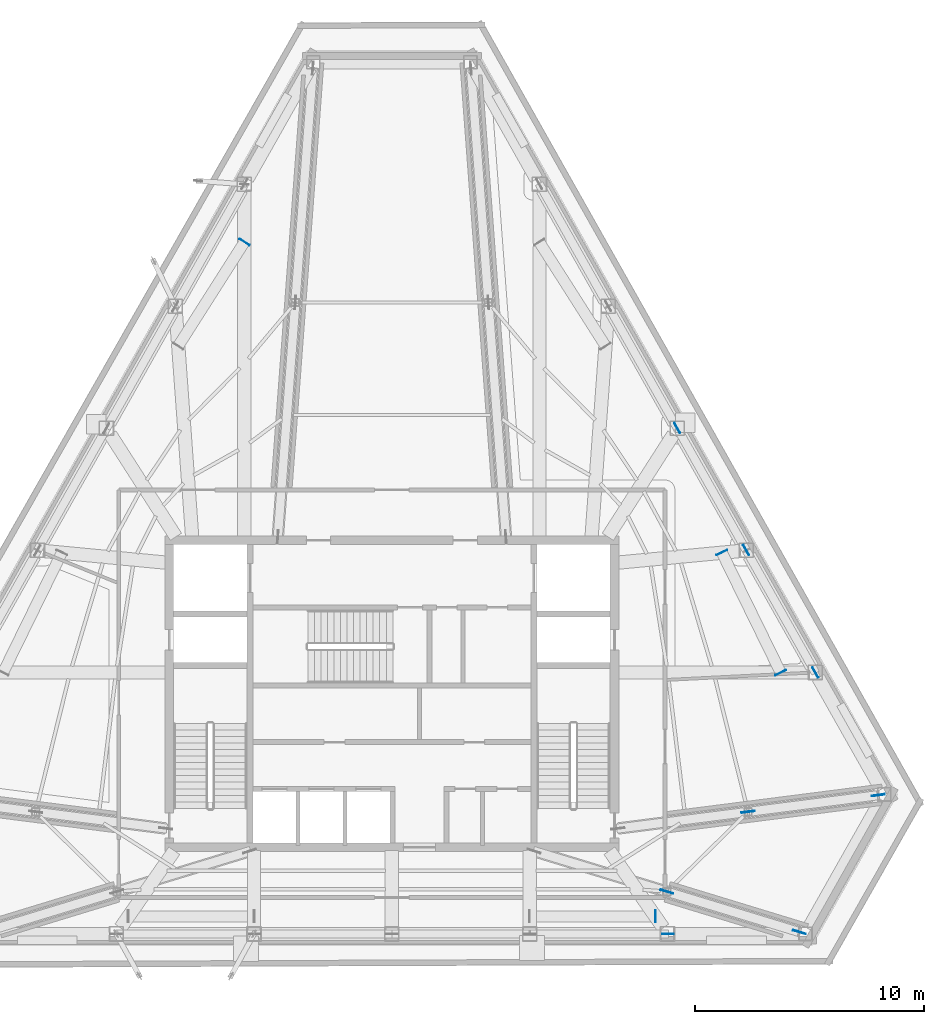
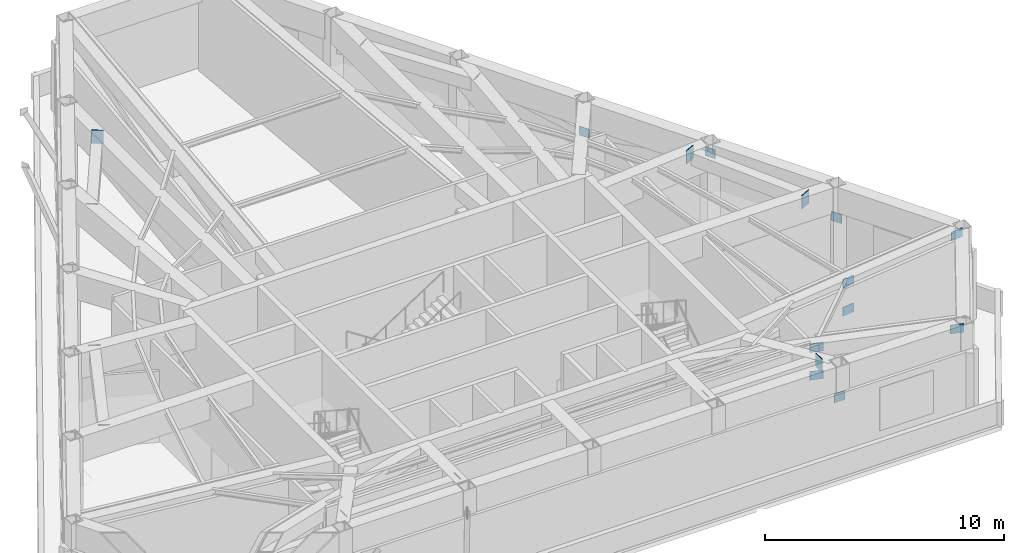
# One storey, part 7 of 13: 14 plates.
"""IFC4 building model written with IfcOpenShell, lengths in metres."""

from ifc_helpers import new_model, si_unit, direction, frame, origin, origin_2d, place, context, subcontext, project, spatial, rectangle, extrude, material, layer, layer_set, type_object, element, save


model = new_model("IFC4")

# Units and contexts
model_context = context("Model", 3, precision=1e-05, world=origin(), true_north=direction((0.0, 1.0)))
body_context = subcontext(model_context, "Body", "Model", "MODEL_VIEW")
ifc_project = project(units=[si_unit("LENGTHUNIT", "METRE"), si_unit("AREAUNIT", "SQUARE_METRE"), si_unit("VOLUMEUNIT", "CUBIC_METRE"), si_unit("PLANEANGLEUNIT", "RADIAN"), si_unit("MASSUNIT", "GRAM", prefix="KILO")], contexts=[model_context])

# Site, building, storey
site_placement = place(None, origin())
site = spatial("IfcSite", under=ifc_project, at=site_placement, CompositionType="ELEMENT")
building_placement = place(site_placement, origin())
building = spatial("IfcBuilding", under=site, at=building_placement, Name="Kavelnor Concourse Tower", CompositionType="ELEMENT")
storey_placement = place(building_placement, frame((0.0, 0.0, 234.300048828125)))
storey = spatial("IfcBuildingStorey", under=building, at=storey_placement, Name="L59", CompositionType="ELEMENT", Elevation=234.300048828125)

# Plates
ifc_material = material(Name="Steel Grade 350", Category="steel")
ifc_layer_1 = layer(ifc_material, 0.035888671875, Name="Steel Grade 350")
ifc_layer_set_1 = layer_set([ifc_layer_1], Name="Steel Grade 350")
plate_type_1 = type_object("IfcPlateType", Name="PL-GUSSET-OUTRIG", PredefinedType="USERDEFINED", material=ifc_layer_set_1)
for number, where, z_axis, x_axis, name in (
    (1, (49.990478515625, 7.46728515625, 2.9599609375), (0.0, 0.0, 1.0), (0.956457710334, -0.291870944669, 0.0), "L59 Outrigger Truss Node Gusset Plate GP2 F1B-MB"),
    (2, (49.990478515625, 7.46728515625, 4.3798828125), (0.0, 0.0, 1.0), (0.956457710334, -0.291870944669, 0.0), "L59 Outrigger Truss Node Gusset Plate GP2 F1B-MT"),
    (3, (55.773681640625, 5.703125, 4.3798828125), (0.0, 0.0, 1.0), (0.956457710334, -0.291870944669, 0.0), "L59 Outrigger Truss Node Gusset Plate GP2 F1B-B1"),
    (4, (53.536376953125, 10.94775390625, 2.9599609375), (0.0, 0.0, 1.0), (0.99191660444, 0.126891488428, 0.0), "L59 Outrigger Truss Node Gusset Plate GP2 F2A-MB"),
    (5, (53.536376953125, 10.94775390625, 4.3798828125), (0.0, 0.0, 1.0), (0.99191660444, 0.126891488428, 0.0), "L59 Outrigger Truss Node Gusset Plate GP2 F2A-MT"),
    (6, (59.21240234375, 11.673583984375, 4.3798828125), (0.0, 0.0, 1.0), (0.99191660444, 0.126891488428, 0.0), "L59 Outrigger Truss Node Gusset Plate GP2 F2A-B1"),
):
    element("IfcPlate", number, at=place(storey_placement, frame(where, z_axis=z_axis, x_axis=x_axis)), inside=storey, type_object=plate_type_1, Name=name, ObjectType="GUSSET_PLATE", PredefinedType="USERDEFINED", context=body_context, shape_type="SweptSolid", body=[
        extrude(rectangle(XDim=0.580078125, YDim=0.035888671875, at=origin_2d()), origin(), (0.0, 0.0, 1.0), 0.43994140625),
    ])
for number, where, z_axis, x_axis, name in (
    (7, (50.03564453125, 5.623291015625, 2.949951171875), (0.0, 0.0, 1.0), (-1.0, 0.0, 0.0), "L59 Belt Truss Diagonal F1-B4 End Gusset A"),
    (8, (56.47119140625, 17.019287109375, 2.949951171875), (0.0, 0.0, 1.0), (-0.491967775447, 0.870613408995, 0.0), "L59 Belt Truss Diagonal F2-B1 End Gusset A"),
    (9, (53.4521484375, 22.363037109375, 4.080078125), (0.0, 0.0, 1.0), (-0.491967775447, 0.870613408995, 0.0), "L59 Belt Truss Diagonal F2-B1 End Gusset B"),
    (10, (50.444580078125, 27.685791015625, 2.949951171875), (0.0, 0.0, 1.0), (0.491967775447, -0.870613408995, 0.0), "L59 Belt Truss Diagonal F2-B2 End Gusset A"),
):
    element("IfcPlate", number, at=place(storey_placement, frame(where, z_axis=z_axis, x_axis=x_axis)), inside=storey, type_object=plate_type_1, Name=name, ObjectType="GUSSET_PLATE", PredefinedType="USERDEFINED", context=body_context, shape_type="SweptSolid", body=[
        extrude(rectangle(XDim=0.5, YDim=0.035888671875, at=origin_2d()), origin(), (0.0, 0.0, 1.0), 0.4599609375),
    ])
ifc_layer_2 = layer(ifc_material, 0.02490234375, Name="Steel Grade 350")
ifc_layer_set_2 = layer_set([ifc_layer_2], Name="Steel Grade 350")
plate_type_2 = type_object("IfcPlateType", Name="PL-SPLICE-FLANGE", PredefinedType="SHEET", material=ifc_layer_set_2)
for number, where, z_axis, x_axis, name in (
    (11, (31.570068359375, 35.80224609375, 4.2900390625), (0.0, 0.0, 1.0), (-0.843485209439, 0.537152400588, 0.0), "L59 Belt Truss Chord End Cap F0-B1-A"),
    (12, (49.49609375, 6.394775390625, 4.2900390625), (0.0, 0.0, 1.0), (-0.000872664515, 0.999999619228, 0.0), "L59 Belt Truss Chord End Cap F1-B4-B"),
    (13, (54.95849609375, 17.02001953125, 4.2900390625), (0.0, 0.0, 1.0), (0.898104345953, 0.439782427776, 0.0), "L59 Belt Truss Chord End Cap F2-B1-A"),
    (14, (52.392333984375, 22.26123046875, 4.2900390625), (0.0, 0.0, 1.0), (-0.898104345953, -0.439782427776, 0.0), "L59 Belt Truss Chord End Cap F2-B1-B"),
):
    element("IfcPlate", number, at=place(storey_placement, frame(where, z_axis=z_axis, x_axis=x_axis)), inside=storey, type_object=plate_type_2, Name=name, PredefinedType="SHEET", context=body_context, shape_type="SweptSolid", body=[
        extrude(rectangle(XDim=0.52001953125, YDim=0.028076171875, at=origin_2d()), origin(), (0.0, 0.0, 1.0), 0.68994140625),
    ])

save(model, "model.ifc")
